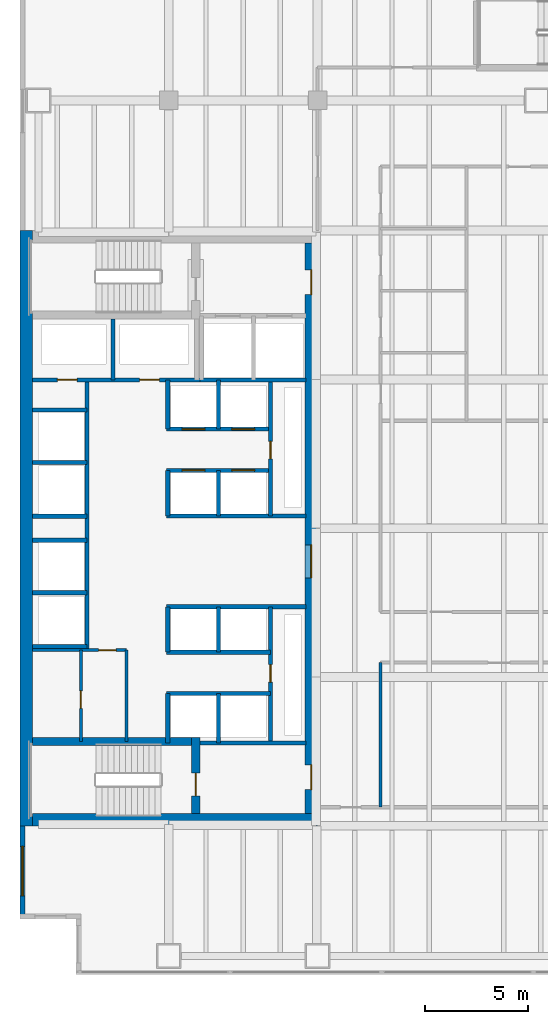
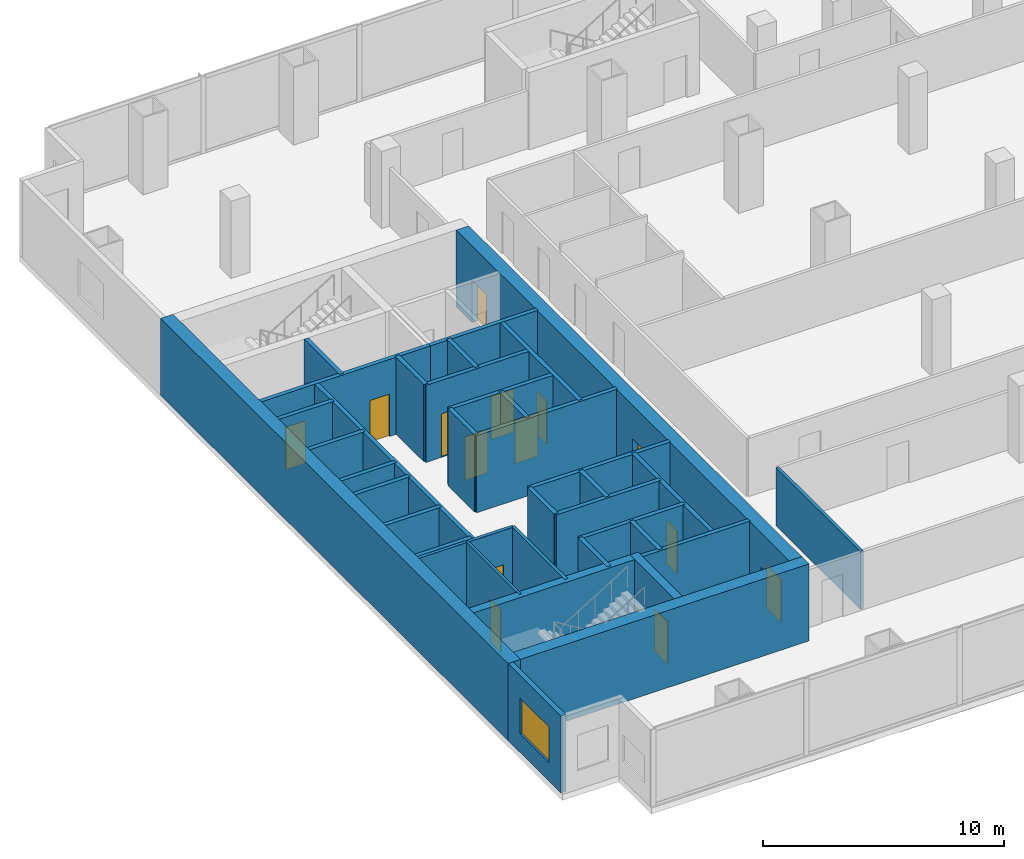
# One storey, part 22 of 31: 37 walls, 14 doors, 1 window, 15 openings.
"""IFC4 building model written with IfcOpenShell, lengths in metres."""

from ifc_helpers import new_model, si_unit, direction, frame, frame_2d, origin, place, context, subcontext, project, spatial, rectangle, extrude, material, layer, layer_set, type_object, element, fill, save


model = new_model("IFC4")

# Units and contexts
model_context = context("Model", 3, precision=1e-05, world=origin(), true_north=direction((0.0, 1.0)))
body_context = subcontext(model_context, "Body", "Model", "MODEL_VIEW")
ifc_project = project(units=[si_unit("LENGTHUNIT", "METRE"), si_unit("AREAUNIT", "SQUARE_METRE"), si_unit("VOLUMEUNIT", "CUBIC_METRE"), si_unit("PLANEANGLEUNIT", "RADIAN"), si_unit("MASSUNIT", "GRAM", prefix="KILO")], contexts=[model_context])

# Site, building, storey
site_placement = place(None, origin())
site = spatial("IfcSite", under=ifc_project, at=site_placement, CompositionType="ELEMENT")
building_placement = place(site_placement, origin())
building = spatial("IfcBuilding", under=site, at=building_placement, Name="Cobrela Telecom Tower", CompositionType="ELEMENT")
storey_placement = place(building_placement, frame((0.0, 0.0, 9.449951171875)))
storey = spatial("IfcBuildingStorey", under=building, at=storey_placement, Name="L02", CompositionType="ELEMENT", Elevation=9.449951171875)

# Walls
ifc_material_1 = material(Name="Concrete C50/60", Category="concrete")
ifc_layer_1 = layer(ifc_material_1, 0.60009765625)
ifc_layer_set_1 = layer_set([ifc_layer_1], Name="Concrete C50/60")
wall_type_1 = type_object("IfcWallType", Name="WALL-CORE-C50-600", PredefinedType="SHEAR", material=ifc_layer_set_1)
wall_1_placement = place(storey_placement, frame((0.300048828125, 7.199951171875, 0.0), z_axis=(0.0, 0.0, 1.0), x_axis=(0.0, 1.0, 0.0)))
element("IfcWall", 1, at=wall_1_placement, inside=storey, type_object=wall_type_1, Name="L02 West Core Shear Wall", PredefinedType="SHEAR", context=body_context, shape_type="SweptSolid", body=[
    extrude(rectangle(XDim=28.800048828125, YDim=0.60009765625, at=frame_2d((14.39990234375, 0.0))), origin(), (0.0, 0.0, 1.0), 3.900146484375),
])
wall_2_placement = place(storey_placement, frame((0.60009765625, 7.5, 0.0), z_axis=(0.0, 0.0, 1.0), x_axis=(1.0, 0.0, 0.0)))
element("IfcWall", 2, at=wall_2_placement, inside=storey, type_object=wall_type_1, Name="L02 South Core Shear Wall", PredefinedType="SHEAR", context=body_context, shape_type="SweptSolid", body=[
    extrude(rectangle(XDim=13.7998046875, YDim=0.60009765625, at=frame_2d((6.89990234375, 0.0))), origin(), (0.0, 0.0, 1.0), 3.900146484375),
])

# Wall, openings, doors
wall_3_placement = place(storey_placement, frame((14.10009765625, 35.39990234375, 0.0), z_axis=(0.0, 0.0, 1.0), x_axis=(0.0, -1.0, 0.0)))
wall_3 = element("IfcWall", 3, at=wall_3_placement, inside=storey, type_object=wall_type_1, Name="L02 East Core Shear Wall", PredefinedType="SHEAR", context=body_context, shape_type="SweptSolid", body=[
    extrude(rectangle(XDim=27.599853515625, YDim=0.60009765625, at=frame_2d((13.7998046875, 0.0))), origin(), (0.0, 0.0, 1.0), 3.900146484375),
])
opening_1_placement = place(wall_3_placement, frame((1.300048828125, 0.0, 0.0)))
opening_1 = element("IfcOpeningElement", 4, at=opening_1_placement, cuts=wall_3, Name="Opening DR-19", PredefinedType="OPENING", context=body_context, shape_type="SweptSolid", body=[
    extrude(rectangle(XDim=1.199951171875, YDim=2.14990234375, at=frame_2d((0.60009765625, 1.074951171875))), frame((0.0, 0.31201171875, 0.0), z_axis=(0.0, -1.0, 0.0), x_axis=(1.0, 0.0, 0.0)), (0.0, 0.0, 1.0), 0.6240234375),
])
opening_2_placement = place(wall_3_placement, frame((25.25, 0.0, 0.0)))
opening_2 = element("IfcOpeningElement", 5, at=opening_2_placement, cuts=wall_3, Name="Opening DR-19", PredefinedType="OPENING", context=body_context, shape_type="SweptSolid", body=[
    extrude(rectangle(XDim=1.199951171875, YDim=2.14990234375, at=frame_2d((0.60009765625, 1.074951171875))), frame((0.0, 0.31201171875, 0.0), z_axis=(0.0, -1.0, 0.0), x_axis=(1.0, 0.0, 0.0)), (0.0, 0.0, 1.0), 0.6240234375),
])
opening_3_placement = place(wall_3_placement, frame((14.60009765625, 0.0, 0.0)))
opening_3 = element("IfcOpeningElement", 6, at=opening_3_placement, cuts=wall_3, Name="Opening DR-51", PredefinedType="OPENING", context=body_context, shape_type="SweptSolid", body=[
    extrude(rectangle(XDim=1.60009765625, YDim=2.199951171875, at=frame_2d((0.800048828125, 1.10009765625))), frame((0.0, 0.31201171875, 0.0), z_axis=(0.0, -1.0, 0.0), x_axis=(1.0, 0.0, 0.0)), (0.0, 0.0, 1.0), 0.6240234375),
])
ifc_material_2 = material(Name="Steel ASTM A36", Category="steel")
door_type_1 = type_object("IfcDoorType", Name="DOOR-FD60-1200", OperationType="SINGLE_SWING_LEFT", PredefinedType="DOOR", material=ifc_material_2)
door_1_placement = place(opening_1_placement, origin())
door_1 = element("IfcDoor", 7, at=door_1_placement, inside=storey, type_object=door_type_1, Name="L02 Door DR-19", OperationType="SINGLE_SWING_LEFT", OverallHeight=2.14990234375, OverallWidth=1.199951171875, PredefinedType="DOOR", context=body_context, shape_type="SweptSolid", body=[
    extrude(rectangle(XDim=1.199951171875, YDim=2.14990234375, at=frame_2d((0.60009765625, 1.074951171875))), frame((0.0, 0.02490234375, 0.0), z_axis=(0.0, -1.0, 0.0), x_axis=(1.0, 0.0, 0.0)), (0.0, 0.0, 1.0), 0.050048828125),
])
fill(opening_1, door_1)
door_2_placement = place(opening_2_placement, origin())
door_2 = element("IfcDoor", 8, at=door_2_placement, inside=storey, type_object=door_type_1, Name="L02 Door DR-19", OperationType="SINGLE_SWING_RIGHT", OverallHeight=2.14990234375, OverallWidth=1.199951171875, PredefinedType="DOOR", context=body_context, shape_type="SweptSolid", body=[
    extrude(rectangle(XDim=1.199951171875, YDim=2.14990234375, at=frame_2d((0.60009765625, 1.074951171875))), frame((0.0, 0.02490234375, 0.0), z_axis=(0.0, -1.0, 0.0), x_axis=(1.0, 0.0, 0.0)), (0.0, 0.0, 1.0), 0.050048828125),
])
fill(opening_2, door_2)
door_type_2 = type_object("IfcDoorType", Name="DOOR-FD60-1600", OperationType="SINGLE_SWING_LEFT", PredefinedType="DOOR", material=ifc_material_2)
door_3_placement = place(opening_3_placement, origin())
door_3 = element("IfcDoor", 9, at=door_3_placement, inside=storey, type_object=door_type_2, Name="L02 Door DR-51", OperationType="DOUBLE_DOOR_SINGLE_SWING", OverallHeight=2.199951171875, OverallWidth=1.60009765625, PredefinedType="DOOR", context=body_context, shape_type="SweptSolid", body=[
    extrude(rectangle(XDim=1.60009765625, YDim=2.199951171875, at=frame_2d((0.800048828125, 1.10009765625))), frame((0.0, 0.02490234375, 0.0), z_axis=(0.0, -1.0, 0.0), x_axis=(1.0, 0.0, 0.0)), (0.0, 0.0, 1.0), 0.050048828125),
])
fill(opening_3, door_3)

# Wall, opening, window
ifc_material_3 = material(Name="Concrete C40/50", Category="concrete")
ifc_layer_2 = layer(ifc_material_3, 0.239990234375)
ifc_layer_set_2 = layer_set([ifc_layer_2], Name="Concrete C40/50")
wall_type_2 = type_object("IfcWallType", Name="WALL-EXT-300", PredefinedType="STANDARD", material=ifc_layer_set_2)
wall_4_placement = place(storey_placement, frame((0.1201171875, 2.820068359375, 0.0), z_axis=(0.0, 0.0, 1.0), x_axis=(0.0, 1.0, 0.0)))
wall_4 = element("IfcWall", 10, at=wall_4_placement, inside=storey, type_object=wall_type_2, Name="L02 Insulated Facade Wall 03", PredefinedType="STANDARD", context=body_context, shape_type="SweptSolid", body=[
    extrude(rectangle(XDim=4.3798828125, YDim=0.239990234375, at=frame_2d((2.18994140625, 0.0))), origin(), (0.0, 0.0, 1.0), 3.900146484375),
])
opening_4_placement = place(wall_4_placement, frame((0.989990234375, 0.0, 0.949951171875)))
opening_4 = element("IfcOpeningElement", 11, at=opening_4_placement, cuts=wall_4, Name="Opening WN-29", PredefinedType="OPENING", context=body_context, shape_type="SweptSolid", body=[
    extrude(rectangle(XDim=2.39990234375, YDim=1.800048828125, at=frame_2d((1.199951171875, 0.89990234375))), frame((0.0, 0.1318359375, 0.0), z_axis=(0.0, -1.0, 0.0), x_axis=(1.0, 0.0, 0.0)), (0.0, 0.0, 1.0), 0.263916015625),
])
ifc_material_4 = material(Name="Solar-Control Bronze Low-E Glass", Category="glass")
window_type = type_object("IfcWindowType", Name="WIN-MOD-2400", PartitioningType="SINGLE_PANEL", PredefinedType="WINDOW", material=ifc_material_4)
window_placement = place(opening_4_placement, origin())
window = element("IfcWindow", 12, at=window_placement, inside=storey, type_object=window_type, Name="L02 Modular Punched Facade Window 005", OverallHeight=1.800048828125, OverallWidth=2.39990234375, PartitioningType="SINGLE_PANEL", PredefinedType="WINDOW", context=body_context, shape_type="SweptSolid", body=[
    extrude(rectangle(XDim=2.39990234375, YDim=1.800048828125, at=frame_2d((1.199951171875, 0.89990234375))), frame((0.0, 0.030029296875, 0.0), z_axis=(0.0, -1.0, 0.0), x_axis=(1.0, 0.0, 0.0)), (0.0, 0.0, 1.0), 0.06005859375),
])
fill(opening_4, window)

# Wall, opening, door
ifc_material_5 = material(Name="Fire-Rated Gypsum Plasterboard")
ifc_layer_3 = layer(ifc_material_5, 0.125)
ifc_layer_set_3 = layer_set([ifc_layer_3], Name="Fire-Rated Gypsum Plasterboard")
wall_type_3 = type_object("IfcWallType", Name="WALL-PART-125", PredefinedType="PARTITIONING", material=ifc_layer_set_3)
wall_5_placement = place(storey_placement, frame((2.949951171875, 11.280029296875, 0.0), z_axis=(0.0, 0.0, 1.0), x_axis=(0.0, 1.0, 0.0)))
wall_5 = element("IfcWall", 13, at=wall_5_placement, inside=storey, type_object=wall_type_3, Name="L02 Interior Partition CW-FK1-V", PredefinedType="PARTITIONING", context=body_context, shape_type="SweptSolid", body=[
    extrude(rectangle(XDim=4.419921875, YDim=0.125, at=frame_2d((2.2099609375, 0.0))), origin(), (0.0, 0.0, 1.0), 3.900146484375),
])
opening_5_placement = place(wall_5_placement, frame((1.60009765625, 0.0, 0.0)))
opening_5 = element("IfcOpeningElement", 14, at=opening_5_placement, cuts=wall_5, Name="Opening DR-11", PredefinedType="OPENING", context=body_context, shape_type="SweptSolid", body=[
    extrude(rectangle(XDim=0.85009765625, YDim=2.14990234375, at=frame_2d((0.425048828125, 1.074951171875))), frame((0.0, 0.074462890625, 0.0), z_axis=(0.0, -1.0, 0.0), x_axis=(1.0, 0.0, 0.0)), (0.0, 0.0, 1.0), 0.14892578125),
])
ifc_material_6 = material(Name="Solid Engineered Oak Timber", Category="wood")
door_type_3 = type_object("IfcDoorType", Name="DOOR-INT-850", OperationType="SINGLE_SWING_LEFT", PredefinedType="DOOR", material=ifc_material_6)
door_4_placement = place(opening_5_placement, origin())
door_4 = element("IfcDoor", 15, at=door_4_placement, inside=storey, type_object=door_type_3, Name="L02 Door DR-11", OperationType="SINGLE_SWING_RIGHT", OverallHeight=2.14990234375, OverallWidth=0.85009765625, PredefinedType="DOOR", context=body_context, shape_type="SweptSolid", body=[
    extrude(rectangle(XDim=0.85009765625, YDim=2.14990234375, at=frame_2d((0.425048828125, 1.074951171875))), frame((0.0, 0.02490234375, 0.0), z_axis=(0.0, -1.0, 0.0), x_axis=(1.0, 0.0, 0.0)), (0.0, 0.0, 1.0), 0.050048828125),
])
fill(opening_5, door_4)

ifc_layer_4 = layer(ifc_material_5, 0.14990234375)
ifc_layer_set_4 = layer_set([ifc_layer_4], Name="Fire-Rated Gypsum Plasterboard")
wall_type_4 = type_object("IfcWallType", Name="WALL-PART-150", PredefinedType="PARTITIONING", material=ifc_layer_set_4)
wall_6_placement = place(storey_placement, frame((0.60009765625, 15.699951171875, 0.0), z_axis=(0.0, 0.0, 1.0), x_axis=(1.0, 0.0, 0.0)))
wall_6 = element("IfcWall", 16, at=wall_6_placement, inside=storey, type_object=wall_type_4, Name="L02 Interior Partition CW-FLEX-N", PredefinedType="PARTITIONING", context=body_context, shape_type="SweptSolid", body=[
    extrude(rectangle(XDim=4.5498046875, YDim=0.14990234375, at=frame_2d((2.27490234375, 0.0))), origin(), (0.0, 0.0, 1.0), 3.900146484375),
])
opening_6_placement = place(wall_6_placement, frame((3.199951171875, 0.0, 0.0)))
opening_6 = element("IfcOpeningElement", 17, at=opening_6_placement, cuts=wall_6, Name="Opening DR-11", PredefinedType="OPENING", context=body_context, shape_type="SweptSolid", body=[
    extrude(rectangle(XDim=0.85009765625, YDim=2.14990234375, at=frame_2d((0.425048828125, 1.074951171875))), frame((0.0, 0.0869140625, 0.0), z_axis=(0.0, -1.0, 0.0), x_axis=(1.0, 0.0, 0.0)), (0.0, 0.0, 1.0), 0.173828125),
])
door_5_placement = place(opening_6_placement, origin())
door_5 = element("IfcDoor", 18, at=door_5_placement, inside=storey, type_object=door_type_3, Name="L02 Door DR-11", OperationType="SINGLE_SWING_LEFT", OverallHeight=2.14990234375, OverallWidth=0.85009765625, PredefinedType="DOOR", context=body_context, shape_type="SweptSolid", body=[
    extrude(rectangle(XDim=0.85009765625, YDim=2.14990234375, at=frame_2d((0.425048828125, 1.074951171875))), frame((0.0, 0.02490234375, 0.0), z_axis=(0.0, -1.0, 0.0), x_axis=(1.0, 0.0, 0.0)), (0.0, 0.0, 1.0), 0.050048828125),
])
fill(opening_6, door_5)

# Walls
wall_7_placement = place(storey_placement, frame((5.14990234375, 11.280029296875, 0.0), z_axis=(0.0, 0.0, 1.0), x_axis=(0.0, 1.0, 0.0)))
element("IfcWall", 19, at=wall_7_placement, inside=storey, type_object=wall_type_4, Name="L02 Interior Partition CW-FLEX-E", PredefinedType="PARTITIONING", context=body_context, shape_type="SweptSolid", body=[
    extrude(rectangle(XDim=4.419921875, YDim=0.14990234375, at=frame_2d((2.2099609375, 0.0))), origin(), (0.0, 0.0, 1.0), 3.900146484375),
])
wall_8_placement = place(storey_placement, frame((17.449951171875, 8.10009765625, 0.0), z_axis=(0.0, 0.0, 1.0), x_axis=(0.0, 1.0, 0.0)))
element("IfcWall", 20, at=wall_8_placement, inside=storey, type_object=wall_type_4, Name="L02 Interior Partition W-PC-E1", PredefinedType="PARTITIONING", context=body_context, shape_type="SweptSolid", body=[
    extrude(rectangle(XDim=7.0, YDim=0.14990234375, at=frame_2d((3.5, 0.0))), origin(), (0.0, 0.0, 1.0), 2.93798828125),
])
ifc_layer_5 = layer(ifc_material_5, 0.199951171875)
ifc_layer_set_5 = layer_set([ifc_layer_5], Name="Fire-Rated Gypsum Plasterboard")
wall_type_5 = type_object("IfcWallType", Name="WALL-SHAFT-200", PredefinedType="PARTITIONING", material=ifc_layer_set_5)
for number, where, z_axis, x_axis, name in (
    (21, (8.699951171875, 11.199951171875, 0.0), (0.0, 0.0, 1.0), (1.0, 0.0, 0.0), "L02 Shaft Enclosure CW-ST2L-N"),
    (22, (8.699951171875, 28.780029296875, 0.0), (0.0, 0.0, 1.0), (1.0, 0.0, 0.0), "L02 Shaft Enclosure CW-FFL-S2"),
):
    element("IfcWall", number, at=place(storey_placement, frame(where, z_axis=z_axis, x_axis=x_axis)), inside=storey, type_object=wall_type_5, Name=name, PredefinedType="PARTITIONING", context=body_context, shape_type="SweptSolid", body=[
        extrude(rectangle(XDim=5.150146484375, YDim=0.199951171875, at=frame_2d((2.5751953125, 0.0))), origin(), (0.0, 0.0, 1.0), 3.900146484375),
    ])

# Wall, openings, doors
wall_9_placement = place(storey_placement, frame((0.60009765625, 28.780029296875, 0.0), z_axis=(0.0, 0.0, 1.0), x_axis=(1.0, 0.0, 0.0)))
wall_9 = element("IfcWall", 23, at=wall_9_placement, inside=storey, type_object=wall_type_5, Name="L02 Shaft Enclosure CW-RIS-S", PredefinedType="PARTITIONING", context=body_context, shape_type="SweptSolid", body=[
    extrude(rectangle(XDim=8.179931640625, YDim=0.199951171875, at=frame_2d((4.08984375, 0.0))), origin(), (0.0, 0.0, 1.0), 3.900146484375),
])
opening_7_placement = place(wall_9_placement, frame((1.2099609375, 0.0, 0.0)))
opening_7 = element("IfcOpeningElement", 24, at=opening_7_placement, cuts=wall_9, Name="Opening DR-65", PredefinedType="OPENING", context=body_context, shape_type="SweptSolid", body=[
    extrude(rectangle(XDim=0.949951171875, YDim=2.14990234375, at=frame_2d((0.47509765625, 1.074951171875))), frame((0.0, 0.11181640625, 0.0), z_axis=(0.0, -1.0, 0.0), x_axis=(1.0, 0.0, 0.0)), (0.0, 0.0, 1.0), 0.223876953125),
])
opening_8_placement = place(wall_9_placement, frame((5.18994140625, 0.0, 0.0)))
opening_8 = element("IfcOpeningElement", 25, at=opening_8_placement, cuts=wall_9, Name="Opening DR-65", PredefinedType="OPENING", context=body_context, shape_type="SweptSolid", body=[
    extrude(rectangle(XDim=0.949951171875, YDim=2.14990234375, at=frame_2d((0.47509765625, 1.074951171875))), frame((0.0, 0.11181640625, 0.0), z_axis=(0.0, -1.0, 0.0), x_axis=(1.0, 0.0, 0.0)), (0.0, 0.0, 1.0), 0.223876953125),
])
door_type_4 = type_object("IfcDoorType", Name="DOOR-FD60-950", OperationType="SINGLE_SWING_LEFT", PredefinedType="DOOR", material=ifc_material_2)
door_6_placement = place(opening_7_placement, origin())
door_6 = element("IfcDoor", 26, at=door_6_placement, inside=storey, type_object=door_type_4, Name="L02 Door DR-65", OperationType="SINGLE_SWING_LEFT", OverallHeight=2.14990234375, OverallWidth=0.949951171875, PredefinedType="DOOR", context=body_context, shape_type="SweptSolid", body=[
    extrude(rectangle(XDim=0.949951171875, YDim=2.14990234375, at=frame_2d((0.47509765625, 1.074951171875))), frame((0.0, 0.02490234375, 0.0), z_axis=(0.0, -1.0, 0.0), x_axis=(1.0, 0.0, 0.0)), (0.0, 0.0, 1.0), 0.050048828125),
])
fill(opening_7, door_6)
door_7_placement = place(opening_8_placement, origin())
door_7 = element("IfcDoor", 27, at=door_7_placement, inside=storey, type_object=door_type_4, Name="L02 Door DR-65", OperationType="SINGLE_SWING_RIGHT", OverallHeight=2.14990234375, OverallWidth=0.949951171875, PredefinedType="DOOR", context=body_context, shape_type="SweptSolid", body=[
    extrude(rectangle(XDim=0.949951171875, YDim=2.14990234375, at=frame_2d((0.47509765625, 1.074951171875))), frame((0.0, 0.02490234375, 0.0), z_axis=(0.0, -1.0, 0.0), x_axis=(1.0, 0.0, 0.0)), (0.0, 0.0, 1.0), 0.050048828125),
])
fill(opening_8, door_7)

# Walls
wall_10_placement = place(storey_placement, frame((4.5, 28.780029296875, 0.0), z_axis=(0.0, 0.0, 1.0), x_axis=(0.0, 1.0, 0.0)))
element("IfcWall", 28, at=wall_10_placement, inside=storey, type_object=wall_type_5, Name="L02 Shaft Enclosure CW-RIS-M", PredefinedType="PARTITIONING", context=body_context, shape_type="SweptSolid", body=[
    extrude(rectangle(XDim=2.93994140625, YDim=0.199951171875, at=frame_2d((1.469970703125, 0.0))), origin(), (0.0, 0.0, 1.0), 3.900146484375),
])
wall_11_placement = place(storey_placement, frame((3.25, 15.699951171875, 0.0), z_axis=(0.0, 0.0, 1.0), x_axis=(0.0, 1.0, 0.0)))
element("IfcWall", 29, at=wall_11_placement, inside=storey, type_object=wall_type_5, Name="L02 Shaft Enclosure CW-PLH-E", PredefinedType="PARTITIONING", context=body_context, shape_type="SweptSolid", body=[
    extrude(rectangle(XDim=13.080078125, YDim=0.199951171875, at=frame_2d((6.5400390625, 0.0))), origin(), (0.0, 0.0, 1.0), 3.900146484375),
])
for number, where, z_axis, x_axis, name in (
    (30, (0.60009765625, 15.8798828125, 0.0), (0.0, 0.0, 1.0), (1.0, 0.0, 0.0), "L02 Shaft Enclosure CW-PLH-D9"),
    (31, (0.60009765625, 18.47998046875, 0.0), (0.0, 0.0, 1.0), (1.0, 0.0, 0.0), "L02 Shaft Enclosure CW-PLH-D10"),
    (32, (0.60009765625, 22.179931640625, 0.0), (0.0, 0.0, 1.0), (1.0, 0.0, 0.0), "L02 Shaft Enclosure CW-PLH-D11"),
    (33, (0.60009765625, 24.780029296875, 0.0), (0.0, 0.0, 1.0), (1.0, 0.0, 0.0), "L02 Shaft Enclosure CW-PLH-D12"),
    (34, (0.60009765625, 21.02001953125, 0.0), (0.0, 0.0, 1.0), (1.0, 0.0, 0.0), "L02 Shaft Enclosure CW-PLH-MID"),
    (35, (0.60009765625, 27.320068359375, 0.0), (0.0, 0.0, 1.0), (1.0, 0.0, 0.0), "L02 Shaft Enclosure CW-PLH-TOP"),
):
    element("IfcWall", number, at=place(storey_placement, frame(where, z_axis=z_axis, x_axis=x_axis)), inside=storey, type_object=wall_type_5, Name=name, PredefinedType="PARTITIONING", context=body_context, shape_type="SweptSolid", body=[
        extrude(rectangle(XDim=2.64990234375, YDim=0.199951171875, at=frame_2d((1.324951171875, 0.0))), origin(), (0.0, 0.0, 1.0), 3.900146484375),
    ])
wall_12_placement = place(storey_placement, frame((7.10009765625, 22.199951171875, 0.0), z_axis=(0.0, 0.0, 1.0), x_axis=(1.0, 0.0, 0.0)))
element("IfcWall", 36, at=wall_12_placement, inside=storey, type_object=wall_type_5, Name="L02 Shaft Enclosure CW-PLL-B0", PredefinedType="PARTITIONING", context=body_context, shape_type="SweptSolid", body=[
    extrude(rectangle(XDim=6.75, YDim=0.199951171875, at=frame_2d((3.375, 0.0))), origin(), (0.0, 0.0, 1.0), 3.900146484375),
])

# Wall, openings, doors
wall_13_placement = place(storey_placement, frame((7.10009765625, 24.39990234375, 0.0), z_axis=(0.0, 0.0, 1.0), x_axis=(1.0, 0.0, 0.0)))
wall_13 = element("IfcWall", 37, at=wall_13_placement, inside=storey, type_object=wall_type_5, Name="L02 Shaft Enclosure CW-PLL-S", PredefinedType="PARTITIONING", context=body_context, shape_type="SweptSolid", body=[
    extrude(rectangle(XDim=5.02001953125, YDim=0.199951171875, at=frame_2d((2.510009765625, 0.0))), origin(), (0.0, 0.0, 1.0), 3.900146484375),
])
opening_9_placement = place(wall_13_placement, frame((0.75, 0.0, 0.0)))
opening_9 = element("IfcOpeningElement", 38, at=opening_9_placement, cuts=wall_13, Name="Opening LD-1", PredefinedType="OPENING", context=body_context, shape_type="SweptSolid", body=[
    extrude(rectangle(XDim=1.10009765625, YDim=2.199951171875, at=frame_2d((0.550048828125, 1.10009765625))), frame((0.0, 0.11181640625, 0.0), z_axis=(0.0, -1.0, 0.0), x_axis=(1.0, 0.0, 0.0)), (0.0, 0.0, 1.0), 0.223876953125),
])
opening_10_placement = place(wall_13_placement, frame((3.14990234375, 0.0, 0.0)))
opening_10 = element("IfcOpeningElement", 39, at=opening_10_placement, cuts=wall_13, Name="Opening LD-1", PredefinedType="OPENING", context=body_context, shape_type="SweptSolid", body=[
    extrude(rectangle(XDim=1.10009765625, YDim=2.199951171875, at=frame_2d((0.550048828125, 1.10009765625))), frame((0.0, 0.11181640625, 0.0), z_axis=(0.0, -1.0, 0.0), x_axis=(1.0, 0.0, 0.0)), (0.0, 0.0, 1.0), 0.223876953125),
])
door_type_5 = type_object("IfcDoorType", Name="DOOR-LD-PL", OperationType="SINGLE_SWING_LEFT", PredefinedType="DOOR", material=ifc_material_2)
door_8_placement = place(opening_9_placement, origin())
door_8 = element("IfcDoor", 40, at=door_8_placement, inside=storey, type_object=door_type_5, Name="L02 Lift Landing Door LD-1", OperationType="DOUBLE_DOOR_SLIDING", OverallHeight=2.199951171875, OverallWidth=1.10009765625, PredefinedType="DOOR", context=body_context, shape_type="SweptSolid", body=[
    extrude(rectangle(XDim=1.10009765625, YDim=2.199951171875, at=frame_2d((0.550048828125, 1.10009765625))), frame((0.0, 0.02490234375, 0.0), z_axis=(0.0, -1.0, 0.0), x_axis=(1.0, 0.0, 0.0)), (0.0, 0.0, 1.0), 0.050048828125),
])
fill(opening_9, door_8)
door_9_placement = place(opening_10_placement, origin())
door_9 = element("IfcDoor", 41, at=door_9_placement, inside=storey, type_object=door_type_5, Name="L02 Lift Landing Door LD-1", OperationType="DOUBLE_DOOR_SLIDING", OverallHeight=2.199951171875, OverallWidth=1.10009765625, PredefinedType="DOOR", context=body_context, shape_type="SweptSolid", body=[
    extrude(rectangle(XDim=1.10009765625, YDim=2.199951171875, at=frame_2d((0.550048828125, 1.10009765625))), frame((0.0, 0.02490234375, 0.0), z_axis=(0.0, -1.0, 0.0), x_axis=(1.0, 0.0, 0.0)), (0.0, 0.0, 1.0), 0.050048828125),
])
fill(opening_10, door_9)

wall_14_placement = place(storey_placement, frame((7.10009765625, 26.39990234375, 0.0), z_axis=(0.0, 0.0, 1.0), x_axis=(1.0, 0.0, 0.0)))
wall_14 = element("IfcWall", 42, at=wall_14_placement, inside=storey, type_object=wall_type_5, Name="L02 Shaft Enclosure CW-PLL-N", PredefinedType="PARTITIONING", context=body_context, shape_type="SweptSolid", body=[
    extrude(rectangle(XDim=5.02001953125, YDim=0.199951171875, at=frame_2d((2.510009765625, 0.0))), origin(), (0.0, 0.0, 1.0), 3.900146484375),
])
opening_11_placement = place(wall_14_placement, frame((0.75, 0.0, 0.0)))
opening_11 = element("IfcOpeningElement", 43, at=opening_11_placement, cuts=wall_14, Name="Opening LD-1", PredefinedType="OPENING", context=body_context, shape_type="SweptSolid", body=[
    extrude(rectangle(XDim=1.10009765625, YDim=2.199951171875, at=frame_2d((0.550048828125, 1.10009765625))), frame((0.0, 0.11181640625, 0.0), z_axis=(0.0, -1.0, 0.0), x_axis=(1.0, 0.0, 0.0)), (0.0, 0.0, 1.0), 0.223876953125),
])
opening_12_placement = place(wall_14_placement, frame((3.14990234375, 0.0, 0.0)))
opening_12 = element("IfcOpeningElement", 44, at=opening_12_placement, cuts=wall_14, Name="Opening LD-1", PredefinedType="OPENING", context=body_context, shape_type="SweptSolid", body=[
    extrude(rectangle(XDim=1.10009765625, YDim=2.199951171875, at=frame_2d((0.550048828125, 1.10009765625))), frame((0.0, 0.11181640625, 0.0), z_axis=(0.0, -1.0, 0.0), x_axis=(1.0, 0.0, 0.0)), (0.0, 0.0, 1.0), 0.223876953125),
])
door_10_placement = place(opening_11_placement, origin())
door_10 = element("IfcDoor", 45, at=door_10_placement, inside=storey, type_object=door_type_5, Name="L02 Lift Landing Door LD-1", OperationType="DOUBLE_DOOR_SLIDING", OverallHeight=2.199951171875, OverallWidth=1.10009765625, PredefinedType="DOOR", context=body_context, shape_type="SweptSolid", body=[
    extrude(rectangle(XDim=1.10009765625, YDim=2.199951171875, at=frame_2d((0.550048828125, 1.10009765625))), frame((0.0, 0.02490234375, 0.0), z_axis=(0.0, -1.0, 0.0), x_axis=(1.0, 0.0, 0.0)), (0.0, 0.0, 1.0), 0.050048828125),
])
fill(opening_11, door_10)
door_11_placement = place(opening_12_placement, origin())
door_11 = element("IfcDoor", 46, at=door_11_placement, inside=storey, type_object=door_type_5, Name="L02 Lift Landing Door LD-1", OperationType="DOUBLE_DOOR_SLIDING", OverallHeight=2.199951171875, OverallWidth=1.10009765625, PredefinedType="DOOR", context=body_context, shape_type="SweptSolid", body=[
    extrude(rectangle(XDim=1.10009765625, YDim=2.199951171875, at=frame_2d((0.550048828125, 1.10009765625))), frame((0.0, 0.02490234375, 0.0), z_axis=(0.0, -1.0, 0.0), x_axis=(1.0, 0.0, 0.0)), (0.0, 0.0, 1.0), 0.050048828125),
])
fill(opening_12, door_11)

# Walls
wall_15_placement = place(storey_placement, frame((7.14990234375, 22.199951171875, 0.0), z_axis=(0.0, 0.0, 1.0), x_axis=(0.0, 1.0, 0.0)))
element("IfcWall", 47, at=wall_15_placement, inside=storey, type_object=wall_type_5, Name="L02 Shaft Enclosure CW-PLL-V1", PredefinedType="PARTITIONING", context=body_context, shape_type="SweptSolid", body=[
    extrude(rectangle(XDim=2.199951171875, YDim=0.199951171875, at=frame_2d((1.10009765625, 0.0))), origin(), (0.0, 0.0, 1.0), 3.900146484375),
])
wall_16_placement = place(storey_placement, frame((7.14990234375, 26.39990234375, 0.0), z_axis=(0.0, 0.0, 1.0), x_axis=(0.0, 1.0, 0.0)))
element("IfcWall", 48, at=wall_16_placement, inside=storey, type_object=wall_type_5, Name="L02 Shaft Enclosure CW-PLL-V1B", PredefinedType="PARTITIONING", context=body_context, shape_type="SweptSolid", body=[
    extrude(rectangle(XDim=2.380126953125, YDim=0.199951171875, at=frame_2d((1.18994140625, 0.0))), origin(), (0.0, 0.0, 1.0), 3.900146484375),
])
wall_17_placement = place(storey_placement, frame((9.60009765625, 22.199951171875, 0.0), z_axis=(0.0, 0.0, 1.0), x_axis=(0.0, 1.0, 0.0)))
element("IfcWall", 49, at=wall_17_placement, inside=storey, type_object=wall_type_5, Name="L02 Shaft Enclosure CW-PLL-V2", PredefinedType="PARTITIONING", context=body_context, shape_type="SweptSolid", body=[
    extrude(rectangle(XDim=2.199951171875, YDim=0.199951171875, at=frame_2d((1.10009765625, 0.0))), origin(), (0.0, 0.0, 1.0), 3.900146484375),
])
wall_18_placement = place(storey_placement, frame((9.60009765625, 26.39990234375, 0.0), z_axis=(0.0, 0.0, 1.0), x_axis=(0.0, 1.0, 0.0)))
element("IfcWall", 50, at=wall_18_placement, inside=storey, type_object=wall_type_5, Name="L02 Shaft Enclosure CW-PLL-V2B", PredefinedType="PARTITIONING", context=body_context, shape_type="SweptSolid", body=[
    extrude(rectangle(XDim=2.380126953125, YDim=0.199951171875, at=frame_2d((1.18994140625, 0.0))), origin(), (0.0, 0.0, 1.0), 3.900146484375),
])

# Wall, opening, door
wall_19_placement = place(storey_placement, frame((12.1201171875, 22.199951171875, 0.0), z_axis=(0.0, 0.0, 1.0), x_axis=(0.0, 1.0, 0.0)))
wall_19 = element("IfcWall", 51, at=wall_19_placement, inside=storey, type_object=wall_type_5, Name="L02 Shaft Enclosure CW-PLL-V3", PredefinedType="PARTITIONING", context=body_context, shape_type="SweptSolid", body=[
    extrude(rectangle(XDim=6.580078125, YDim=0.199951171875, at=frame_2d((3.2900390625, 0.0))), origin(), (0.0, 0.0, 1.0), 3.900146484375),
])
opening_13_placement = place(wall_19_placement, frame((2.75, 0.0, 0.0)))
opening_13 = element("IfcOpeningElement", 52, at=opening_13_placement, cuts=wall_19, Name="Opening DR-11", PredefinedType="OPENING", context=body_context, shape_type="SweptSolid", body=[
    extrude(rectangle(XDim=0.85009765625, YDim=2.14990234375, at=frame_2d((0.425048828125, 1.074951171875))), frame((0.0, 0.11181640625, 0.0), z_axis=(0.0, -1.0, 0.0), x_axis=(1.0, 0.0, 0.0)), (0.0, 0.0, 1.0), 0.223876953125),
])
door_12_placement = place(opening_13_placement, origin())
door_12 = element("IfcDoor", 53, at=door_12_placement, inside=storey, type_object=door_type_3, Name="L02 Door DR-11", OperationType="SINGLE_SWING_LEFT", OverallHeight=2.14990234375, OverallWidth=0.85009765625, PredefinedType="DOOR", context=body_context, shape_type="SweptSolid", body=[
    extrude(rectangle(XDim=0.85009765625, YDim=2.14990234375, at=frame_2d((0.425048828125, 1.074951171875))), frame((0.0, 0.02490234375, 0.0), z_axis=(0.0, -1.0, 0.0), x_axis=(1.0, 0.0, 0.0)), (0.0, 0.0, 1.0), 0.050048828125),
])
fill(opening_13, door_12)

# Walls
wall_20_placement = place(storey_placement, frame((7.10009765625, 17.800048828125, 0.0), z_axis=(0.0, 0.0, 1.0), x_axis=(1.0, 0.0, 0.0)))
element("IfcWall", 54, at=wall_20_placement, inside=storey, type_object=wall_type_5, Name="L02 Shaft Enclosure CW-PLM-T0", PredefinedType="PARTITIONING", context=body_context, shape_type="SweptSolid", body=[
    extrude(rectangle(XDim=6.75, YDim=0.199951171875, at=frame_2d((3.375, 0.0))), origin(), (0.0, 0.0, 1.0), 3.900146484375),
])
for number, where, z_axis, x_axis, name in (
    (55, (7.10009765625, 15.60009765625, 0.0), (0.0, 0.0, 1.0), (1.0, 0.0, 0.0), "L02 Shaft Enclosure CW-PLM-N"),
    (56, (7.10009765625, 13.60009765625, 0.0), (0.0, 0.0, 1.0), (1.0, 0.0, 0.0), "L02 Shaft Enclosure CW-PLM-S"),
):
    element("IfcWall", number, at=place(storey_placement, frame(where, z_axis=z_axis, x_axis=x_axis)), inside=storey, type_object=wall_type_5, Name=name, PredefinedType="PARTITIONING", context=body_context, shape_type="SweptSolid", body=[
        extrude(rectangle(XDim=5.02001953125, YDim=0.199951171875, at=frame_2d((2.510009765625, 0.0))), origin(), (0.0, 0.0, 1.0), 3.900146484375),
    ])
wall_21_placement = place(storey_placement, frame((7.14990234375, 15.60009765625, 0.0), z_axis=(0.0, 0.0, 1.0), x_axis=(0.0, 1.0, 0.0)))
element("IfcWall", 57, at=wall_21_placement, inside=storey, type_object=wall_type_5, Name="L02 Shaft Enclosure CW-PLM-V1", PredefinedType="PARTITIONING", context=body_context, shape_type="SweptSolid", body=[
    extrude(rectangle(XDim=2.199951171875, YDim=0.199951171875, at=frame_2d((1.10009765625, 0.0))), origin(), (0.0, 0.0, 1.0), 3.900146484375),
])
wall_22_placement = place(storey_placement, frame((7.14990234375, 11.199951171875, 0.0), z_axis=(0.0, 0.0, 1.0), x_axis=(0.0, 1.0, 0.0)))
element("IfcWall", 58, at=wall_22_placement, inside=storey, type_object=wall_type_5, Name="L02 Shaft Enclosure CW-PLM-V1B", PredefinedType="PARTITIONING", context=body_context, shape_type="SweptSolid", body=[
    extrude(rectangle(XDim=2.400146484375, YDim=0.199951171875, at=frame_2d((1.2001953125, 0.0))), origin(), (0.0, 0.0, 1.0), 3.900146484375),
])
wall_23_placement = place(storey_placement, frame((9.60009765625, 15.60009765625, 0.0), z_axis=(0.0, 0.0, 1.0), x_axis=(0.0, 1.0, 0.0)))
element("IfcWall", 59, at=wall_23_placement, inside=storey, type_object=wall_type_5, Name="L02 Shaft Enclosure CW-PLM-V2", PredefinedType="PARTITIONING", context=body_context, shape_type="SweptSolid", body=[
    extrude(rectangle(XDim=2.199951171875, YDim=0.199951171875, at=frame_2d((1.10009765625, 0.0))), origin(), (0.0, 0.0, 1.0), 3.900146484375),
])
wall_24_placement = place(storey_placement, frame((9.60009765625, 11.199951171875, 0.0), z_axis=(0.0, 0.0, 1.0), x_axis=(0.0, 1.0, 0.0)))
element("IfcWall", 60, at=wall_24_placement, inside=storey, type_object=wall_type_5, Name="L02 Shaft Enclosure CW-PLM-V2B", PredefinedType="PARTITIONING", context=body_context, shape_type="SweptSolid", body=[
    extrude(rectangle(XDim=2.400146484375, YDim=0.199951171875, at=frame_2d((1.2001953125, 0.0))), origin(), (0.0, 0.0, 1.0), 3.900146484375),
])

# Wall, opening, door
wall_25_placement = place(storey_placement, frame((12.1201171875, 11.199951171875, 0.0), z_axis=(0.0, 0.0, 1.0), x_axis=(0.0, 1.0, 0.0)))
wall_25 = element("IfcWall", 61, at=wall_25_placement, inside=storey, type_object=wall_type_5, Name="L02 Shaft Enclosure CW-PLM-V3", PredefinedType="PARTITIONING", context=body_context, shape_type="SweptSolid", body=[
    extrude(rectangle(XDim=6.60009765625, YDim=0.199951171875, at=frame_2d((3.300048828125, 0.0))), origin(), (0.0, 0.0, 1.0), 3.900146484375),
])
opening_14_placement = place(wall_25_placement, frame((2.949951171875, 0.0, 0.0)))
opening_14 = element("IfcOpeningElement", 62, at=opening_14_placement, cuts=wall_25, Name="Opening DR-11", PredefinedType="OPENING", context=body_context, shape_type="SweptSolid", body=[
    extrude(rectangle(XDim=0.85009765625, YDim=2.14990234375, at=frame_2d((0.425048828125, 1.074951171875))), frame((0.0, 0.11181640625, 0.0), z_axis=(0.0, -1.0, 0.0), x_axis=(1.0, 0.0, 0.0)), (0.0, 0.0, 1.0), 0.223876953125),
])
door_13_placement = place(opening_14_placement, origin())
door_13 = element("IfcDoor", 63, at=door_13_placement, inside=storey, type_object=door_type_3, Name="L02 Door DR-11", OperationType="SINGLE_SWING_RIGHT", OverallHeight=2.14990234375, OverallWidth=0.85009765625, PredefinedType="DOOR", context=body_context, shape_type="SweptSolid", body=[
    extrude(rectangle(XDim=0.85009765625, YDim=2.14990234375, at=frame_2d((0.425048828125, 1.074951171875))), frame((0.0, 0.02490234375, 0.0), z_axis=(0.0, -1.0, 0.0), x_axis=(1.0, 0.0, 0.0)), (0.0, 0.0, 1.0), 0.050048828125),
])
fill(opening_14, door_13)

# Wall
ifc_layer_6 = layer(ifc_material_3, 0.39990234375)
ifc_layer_set_6 = layer_set([ifc_layer_6], Name="Concrete C40/50")
wall_type_6 = type_object("IfcWallType", Name="WALL-SHAFT-C40-400", PredefinedType="SHEAR", material=ifc_layer_set_6)
wall_26_placement = place(storey_placement, frame((0.60009765625, 11.280029296875, 0.0), z_axis=(0.0, 0.0, 1.0), x_axis=(1.0, 0.0, 0.0)))
element("IfcWall", 64, at=wall_26_placement, inside=storey, type_object=wall_type_6, Name="L02 South Stair Shear Wall", PredefinedType="SHEAR", context=body_context, shape_type="SweptSolid", body=[
    extrude(rectangle(XDim=7.699951171875, YDim=0.39990234375, at=frame_2d((3.85009765625, 0.0))), origin(), (0.0, 0.0, 1.0), 3.900146484375),
])

# Wall, opening, door
wall_27_placement = place(storey_placement, frame((8.5, 7.800048828125, 0.0), z_axis=(0.0, 0.0, 1.0), x_axis=(0.0, 1.0, 0.0)))
wall_27 = element("IfcWall", 65, at=wall_27_placement, inside=storey, type_object=wall_type_6, Name="L02 South Stair Lobby Shear Wall", PredefinedType="SHEAR", context=body_context, shape_type="SweptSolid", body=[
    extrude(rectangle(XDim=3.679931640625, YDim=0.39990234375, at=frame_2d((1.83984375, 0.0))), origin(), (0.0, 0.0, 1.0), 3.900146484375),
])
opening_15_placement = place(wall_27_placement, frame((0.85009765625, 0.0, 0.0)))
opening_15 = element("IfcOpeningElement", 66, at=opening_15_placement, cuts=wall_27, Name="Opening FD-90", PredefinedType="OPENING", context=body_context, shape_type="SweptSolid", body=[
    extrude(rectangle(XDim=1.10009765625, YDim=2.14990234375, at=frame_2d((0.550048828125, 1.074951171875))), frame((0.0, 0.2119140625, 0.0), z_axis=(0.0, -1.0, 0.0), x_axis=(1.0, 0.0, 0.0)), (0.0, 0.0, 1.0), 0.423828125),
])
door_type_6 = type_object("IfcDoorType", Name="DOOR-FD90-1100", OperationType="SINGLE_SWING_LEFT", PredefinedType="DOOR", material=ifc_material_2)
door_14_placement = place(opening_15_placement, origin())
door_14 = element("IfcDoor", 67, at=door_14_placement, inside=storey, type_object=door_type_6, Name="L02 Door FD-90", OperationType="SINGLE_SWING_LEFT", OverallHeight=2.14990234375, OverallWidth=1.10009765625, PredefinedType="DOOR", context=body_context, shape_type="SweptSolid", body=[
    extrude(rectangle(XDim=1.10009765625, YDim=2.14990234375, at=frame_2d((0.550048828125, 1.074951171875))), frame((0.0, 0.02490234375, 0.0), z_axis=(0.0, -1.0, 0.0), x_axis=(1.0, 0.0, 0.0)), (0.0, 0.0, 1.0), 0.050048828125),
])
fill(opening_15, door_14)

save(model, "model.ifc")
